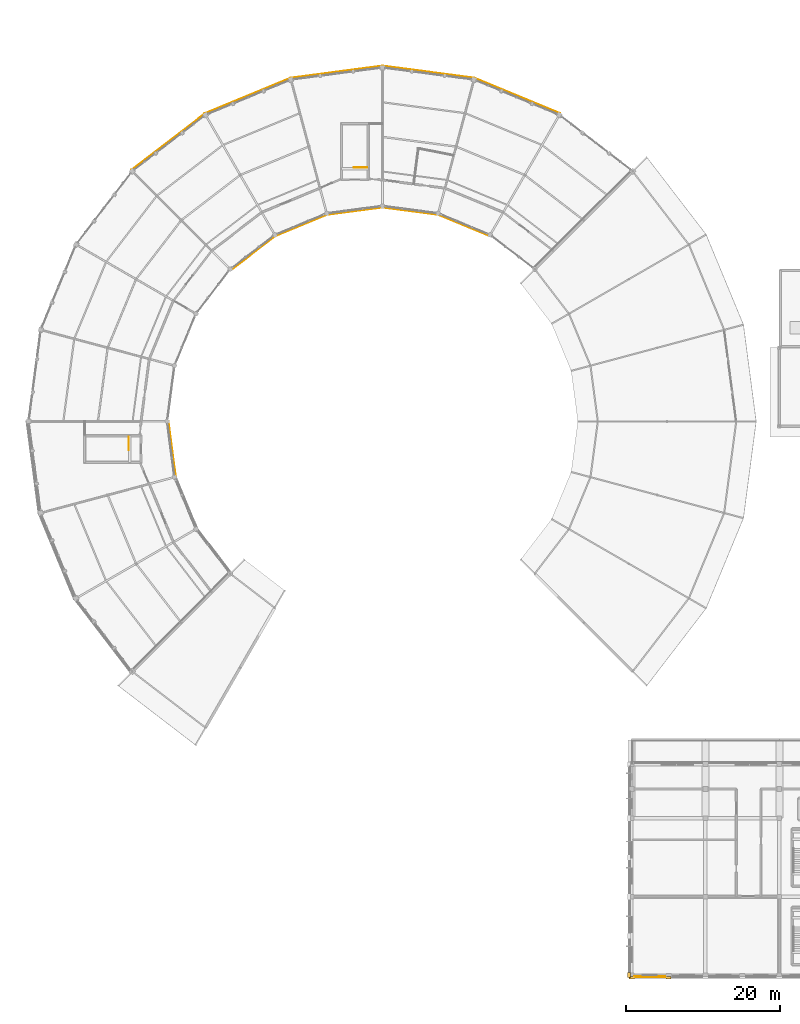
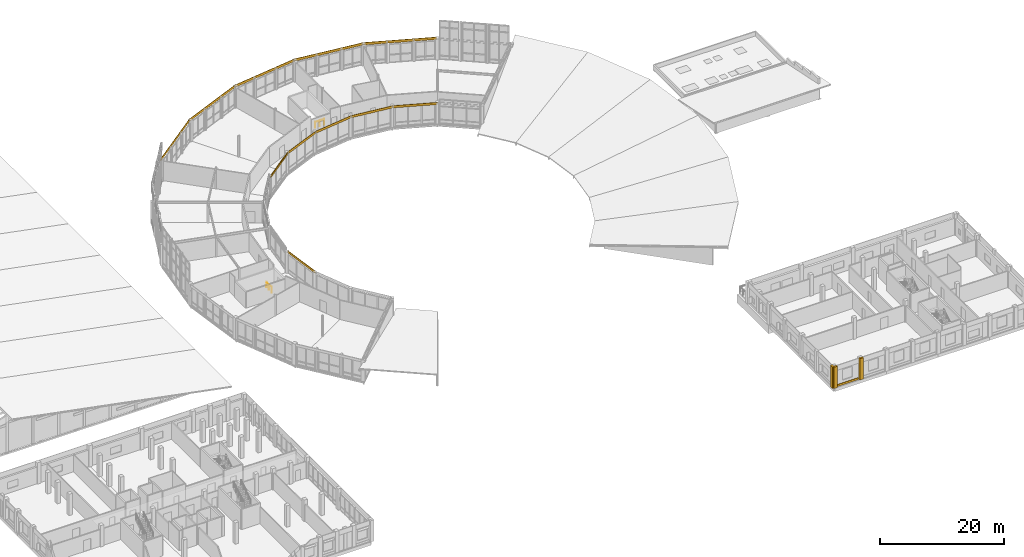
# One storey, part 196 of 200: 15 coverings, 2 railings.
"""IFC4 building model written with IfcOpenShell, lengths in metres."""

from ifc_helpers import new_model, si_unit, direction, frame, origin, origin_2d, place, context, subcontext, project, spatial, rectangle, circle, extrude, material, layer, layer_set, type_object, element, save


model = new_model("IFC4")

# Units and contexts
model_context = context("Model", 3, precision=1e-05, world=origin(), true_north=direction((0.0, 1.0)))
body_context = subcontext(model_context, "Body", "Model", "MODEL_VIEW")
ifc_project = project(units=[si_unit("LENGTHUNIT", "METRE"), si_unit("AREAUNIT", "SQUARE_METRE"), si_unit("VOLUMEUNIT", "CUBIC_METRE"), si_unit("PLANEANGLEUNIT", "RADIAN"), si_unit("MASSUNIT", "GRAM", prefix="KILO")], contexts=[model_context])

# Site, building, storey
site_placement = place(None, origin())
site = spatial("IfcSite", under=ifc_project, at=site_placement, CompositionType="ELEMENT")
building_placement = place(site_placement, origin())
building = spatial("IfcBuilding", under=site, at=building_placement, Name="Vondelvale Polytechnic", CompositionType="ELEMENT")
storey_placement = place(building_placement, frame((0.0, 0.0, 13.800048828125)))
storey = spatial("IfcBuildingStorey", under=building, at=storey_placement, Name="L03", CompositionType="ELEMENT", Elevation=13.800048828125)

# Coverings
ifc_material_1 = material(Name="Amsterdam School iron-spot clinker clay brickwork", Category="masonry")
ifc_layer_1 = layer(ifc_material_1, 0.090087890625)
ifc_layer_set_1 = layer_set([ifc_layer_1], Name="COV-BRICK-RELIEF")
covering_type_1 = type_object("IfcCoveringType", Name="COV-BRICK-RELIEF", PredefinedType="CLADDING", material=ifc_layer_set_1)
covering_1_placement = place(storey_placement, frame((136.77490234375, -0.2109375, 0.0), z_axis=(0.0, 0.0, 1.0), x_axis=(-1.0, 0.0, 0.0)))
element("IfcCovering", 1, at=covering_1_placement, inside=storey, type_object=covering_type_1, Name="L03 exterior corbelled masonry relief band", PredefinedType="CLADDING", context=body_context, shape_type="SweptSolid", body=[
    extrude(rectangle(XDim=4.087890625, YDim=0.090087890625, at=origin_2d()), origin(), (0.0, 0.0, 1.0), 0.3798828125),
])
for number, where, z_axis, x_axis, name in (
    (2, (134.39990234375, -0.340087890625, 0.0), (0.0, 0.0, 1.0), (1.0, 0.0, 0.0), "L03 Lecture wing giant-order pilaster S"),
    (3, (139.199951171875, -0.340087890625, 0.0), (0.0, 0.0, 1.0), (1.0, 0.0, 0.0), "L03 Lecture wing giant-order pilaster S"),
):
    element("IfcCovering", number, at=place(storey_placement, frame(where, z_axis=z_axis, x_axis=x_axis)), inside=storey, type_object=covering_type_1, Name=name, PredefinedType="CLADDING", context=body_context, shape_type="SweptSolid", body=[
        extrude(rectangle(XDim=0.679931640625, YDim=0.360107421875, at=origin_2d()), origin(), (0.0, 0.0, 1.0), 4.199951171875),
    ])
covering_2_placement = place(storey_placement, frame((134.06005859375, 0.0, 0.0), z_axis=(0.0, 0.0, 1.0), x_axis=(1.0, 0.0, 0.0)))
element("IfcCovering", 4, at=covering_2_placement, inside=storey, type_object=covering_type_1, Name="L03 Lecture wing giant-order pilaster W", PredefinedType="CLADDING", context=body_context, shape_type="SweptSolid", body=[
    extrude(rectangle(XDim=0.360107421875, YDim=0.679931640625, at=origin_2d()), origin(), (0.0, 0.0, 1.0), 4.199951171875),
])
ifc_material_2 = material(Name="Engineered Tasmanian oak studio and bridge joinery")
ifc_layer_2 = layer(ifc_material_2, 0.06494140625)
ifc_layer_set_2 = layer_set([ifc_layer_2], Name="COV-OAK-SPANDREL")
covering_type_2 = type_object("IfcCoveringType", Name="COV-OAK-SPANDREL", PredefinedType="CLADDING", material=ifc_layer_set_2)
covering_3_placement = place(storey_placement, frame((112.55810546875, 97.4892578125, 3.75), z_axis=(0.0, 0.0, 1.0), x_axis=(-0.923879532511, 0.382683432365, 0.0)))
element("IfcCovering", 5, at=covering_3_placement, inside=storey, type_object=covering_type_2, Name="L03 exterior masonry spandrel band", PredefinedType="CLADDING", context=body_context, shape_type="SweptSolid", body=[
    extrude(rectangle(XDim=7.3095703125, YDim=0.06494140625, at=origin_2d()), origin(), (0.0, 0.0, 1.0), 0.449951171875),
])
covering_4_placement = place(storey_placement, frame((119.533447265625, 114.32958984375, 3.719970703125), z_axis=(0.0, 0.0, 1.0), x_axis=(-0.923879532511, 0.382683432365, 0.0)))
element("IfcCovering", 6, at=covering_4_placement, inside=storey, type_object=covering_type_2, Name="L03 exterior masonry spandrel band", PredefinedType="CLADDING", context=body_context, shape_type="SweptSolid", body=[
    extrude(rectangle(XDim=12.00830078125, YDim=0.06494140625, at=origin_2d()), origin(), (0.0, 0.0, 1.0), 0.47998046875),
])
covering_5_placement = place(storey_placement, frame((105.60107421875, 99.353515625, 3.75), z_axis=(0.0, 0.0, 1.0), x_axis=(-0.991444861374, 0.13052619222, 0.0)))
element("IfcCovering", 7, at=covering_5_placement, inside=storey, type_object=covering_type_2, Name="L03 exterior masonry spandrel band", PredefinedType="CLADDING", context=body_context, shape_type="SweptSolid", body=[
    extrude(rectangle(XDim=7.309326171875, YDim=0.06494140625, at=origin_2d()), origin(), (0.0, 0.0, 1.0), 0.449951171875),
])
covering_6_placement = place(storey_placement, frame((107.980224609375, 117.42529296875, 3.719970703125), z_axis=(0.0, 0.0, 1.0), x_axis=(-0.991444861374, 0.13052619222, 0.0)))
element("IfcCovering", 8, at=covering_6_placement, inside=storey, type_object=covering_type_2, Name="L03 exterior masonry spandrel band", PredefinedType="CLADDING", context=body_context, shape_type="SweptSolid", body=[
    extrude(rectangle(XDim=12.00830078125, YDim=0.06494140625, at=origin_2d()), origin(), (0.0, 0.0, 1.0), 0.47998046875),
])
covering_7_placement = place(storey_placement, frame((98.39892578125, 99.353515625, 3.75), z_axis=(0.0, 0.0, 1.0), x_axis=(-0.991444861374, -0.13052619222, 0.0)))
element("IfcCovering", 9, at=covering_7_placement, inside=storey, type_object=covering_type_2, Name="L03 exterior masonry spandrel band", PredefinedType="CLADDING", context=body_context, shape_type="SweptSolid", body=[
    extrude(rectangle(XDim=7.309326171875, YDim=0.06494140625, at=origin_2d()), origin(), (0.0, 0.0, 1.0), 0.449951171875),
])
covering_8_placement = place(storey_placement, frame((96.019775390625, 117.42529296875, 3.719970703125), z_axis=(0.0, 0.0, 1.0), x_axis=(-0.991444861374, -0.13052619222, 0.0)))
element("IfcCovering", 10, at=covering_8_placement, inside=storey, type_object=covering_type_2, Name="L03 exterior masonry spandrel band", PredefinedType="CLADDING", context=body_context, shape_type="SweptSolid", body=[
    extrude(rectangle(XDim=12.00830078125, YDim=0.06494140625, at=origin_2d()), origin(), (0.0, 0.0, 1.0), 0.47998046875),
])
covering_9_placement = place(storey_placement, frame((91.44189453125, 97.4892578125, 3.75), z_axis=(0.0, 0.0, 1.0), x_axis=(-0.923879532511, -0.382683432365, 0.0)))
element("IfcCovering", 11, at=covering_9_placement, inside=storey, type_object=covering_type_2, Name="L03 exterior masonry spandrel band", PredefinedType="CLADDING", context=body_context, shape_type="SweptSolid", body=[
    extrude(rectangle(XDim=7.3095703125, YDim=0.06494140625, at=origin_2d()), origin(), (0.0, 0.0, 1.0), 0.449951171875),
])
covering_10_placement = place(storey_placement, frame((84.466552734375, 114.32958984375, 3.719970703125), z_axis=(0.0, 0.0, 1.0), x_axis=(-0.923879532511, -0.382683432365, 0.0)))
element("IfcCovering", 12, at=covering_10_placement, inside=storey, type_object=covering_type_2, Name="L03 exterior masonry spandrel band", PredefinedType="CLADDING", context=body_context, shape_type="SweptSolid", body=[
    extrude(rectangle(XDim=12.00830078125, YDim=0.06494140625, at=origin_2d()), origin(), (0.0, 0.0, 1.0), 0.47998046875),
])
covering_11_placement = place(storey_placement, frame((85.20458984375, 93.88818359375, 3.75), z_axis=(0.0, 0.0, 1.0), x_axis=(-0.793353340291, -0.608761429009, 0.0)))
element("IfcCovering", 13, at=covering_11_placement, inside=storey, type_object=covering_type_2, Name="L03 exterior masonry spandrel band", PredefinedType="CLADDING", context=body_context, shape_type="SweptSolid", body=[
    extrude(rectangle(XDim=7.3095703125, YDim=0.06494140625, at=origin_2d()), origin(), (0.0, 0.0, 1.0), 0.449951171875),
])
covering_12_placement = place(storey_placement, frame((74.1083984375, 108.34912109375, 3.719970703125), z_axis=(0.0, 0.0, 1.0), x_axis=(-0.793353340291, -0.608761429009, 0.0)))
element("IfcCovering", 14, at=covering_12_placement, inside=storey, type_object=covering_type_2, Name="L03 exterior masonry spandrel band", PredefinedType="CLADDING", context=body_context, shape_type="SweptSolid", body=[
    extrude(rectangle(XDim=12.00830078125, YDim=0.06494140625, at=origin_2d()), origin(), (0.0, 0.0, 1.0), 0.47998046875),
])
covering_13_placement = place(storey_placement, frame((74.646484375, 68.39892578125, 3.75), z_axis=(0.0, 0.0, 1.0), x_axis=(0.13052619222, -0.991444861374, 0.0)))
element("IfcCovering", 15, at=covering_13_placement, inside=storey, type_object=covering_type_2, Name="L03 exterior masonry spandrel band", PredefinedType="CLADDING", context=body_context, shape_type="SweptSolid", body=[
    extrude(rectangle(XDim=7.309326171875, YDim=0.06494140625, at=origin_2d()), origin(), (0.0, 0.0, 1.0), 0.449951171875),
])

# Railings
ifc_material_3 = material(Name="Brushed architectural stainless and zinc-coated metal")
ifc_layer_3 = layer(ifc_material_3, 0.050048828125)
ifc_layer_set_3 = layer_set([ifc_layer_3], Name="RL-STAIR-GUARD")
railing_type = type_object("IfcRailingType", Name="RL-STAIR-GUARD", PredefinedType="GUARDRAIL", material=ifc_layer_set_3)
railing_1_placement = place(storey_placement, frame((100.0, 105.0, 0.0)))
element("IfcRailing", 16, at=railing_1_placement, inside=storey, type_object=railing_type, Name="L03 ST-09 top well guard 1", PredefinedType="GUARDRAIL", context=body_context, shape_type="SweptSolid", body=[
    extrude(circle(Radius=0.02392578125, at=origin_2d()), frame((0.0, 0.0, 1.076171875), z_axis=(-1.0, 0.0, 0.0), x_axis=(0.0, -1.0, 0.0)), (0.0, 0.0, 1.0), 1.699951171875),
    extrude(circle(Radius=0.02099609375, at=origin_2d()), origin(), (0.0, 0.0, 1.0), 1.052001953125),
    extrude(circle(Radius=0.02099609375, at=origin_2d()), frame((-0.85009765625, 0.0, 0.0)), (0.0, 0.0, 1.0), 1.052001953125),
    extrude(circle(Radius=0.02099609375, at=origin_2d()), frame((-1.699951171875, 0.0, 0.0)), (0.0, 0.0, 1.0), 1.052001953125),
])
railing_2_placement = place(storey_placement, frame((69.0, 70.0, 0.0)))
element("IfcRailing", 17, at=railing_2_placement, inside=storey, type_object=railing_type, Name="L03 ST-10 top well guard 1", PredefinedType="GUARDRAIL", context=body_context, shape_type="SweptSolid", body=[
    extrude(circle(Radius=0.02392578125, at=origin_2d()), frame((0.0, 0.0, 1.076171875), z_axis=(0.0, -1.0, 0.0), x_axis=(1.0, 0.0, 0.0)), (0.0, 0.0, 1.0), 1.699951171875),
    extrude(circle(Radius=0.02099609375, at=origin_2d()), origin(), (0.0, 0.0, 1.0), 1.052001953125),
    extrude(circle(Radius=0.02099609375, at=origin_2d()), frame((0.0, -0.85009765625, 0.0)), (0.0, 0.0, 1.0), 1.052001953125),
    extrude(circle(Radius=0.02099609375, at=origin_2d()), frame((0.0, -1.699951171875, 0.0)), (0.0, 0.0, 1.0), 1.052001953125),
])

save(model, "model.ifc")
